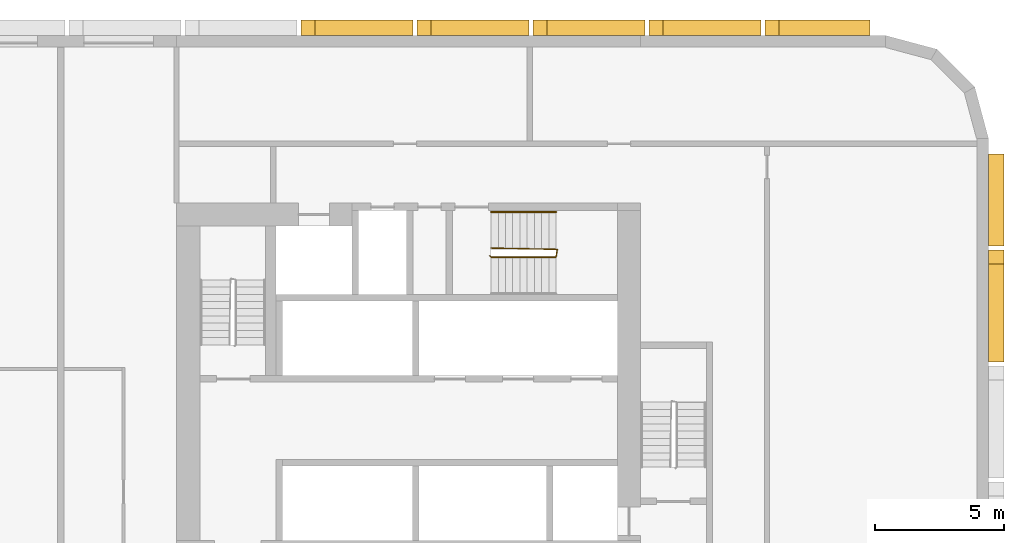
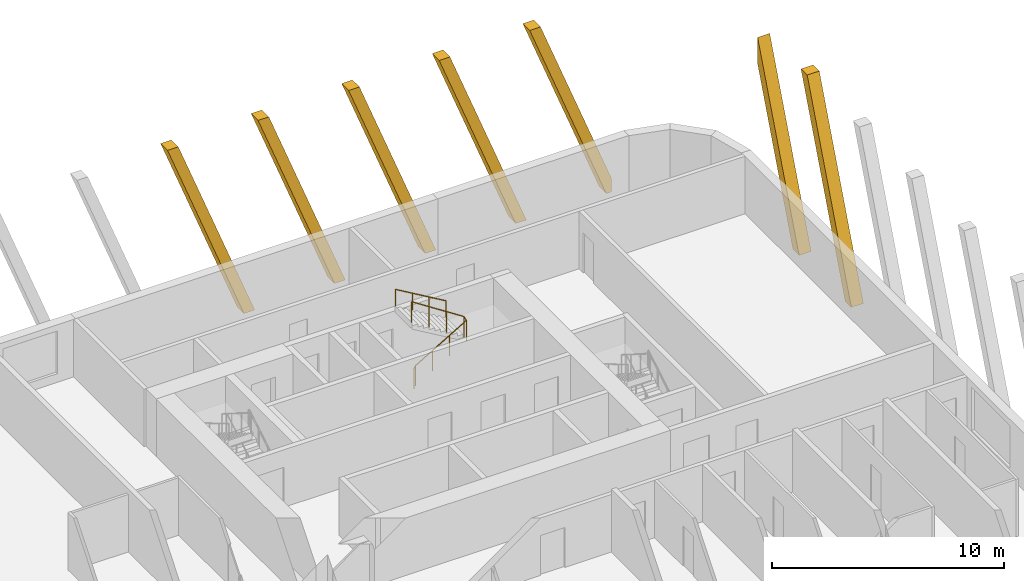
# One storey, part 13 of 13: 7 coverings, 2 railings.
"""IFC4 building model written with IfcOpenShell, lengths in metres."""

from ifc_helpers import new_model, si_unit, direction, frame, origin, origin_2d, place, context, subcontext, project, spatial, polyline, rectangle, circle, outline, extrude, material, material_profile, profile_set, type_object, element, save


model = new_model("IFC4")

# Units and contexts
model_context = context("Model", 3, precision=1e-05, world=origin(), true_north=direction((0.0, 1.0)))
body_context = subcontext(model_context, "Body", "Model", "MODEL_VIEW")
ifc_project = project(units=[si_unit("LENGTHUNIT", "METRE"), si_unit("AREAUNIT", "SQUARE_METRE"), si_unit("VOLUMEUNIT", "CUBIC_METRE"), si_unit("PLANEANGLEUNIT", "RADIAN"), si_unit("MASSUNIT", "GRAM", prefix="KILO")], contexts=[model_context])

# Site, building, storey
site_placement = place(None, origin())
site = spatial("IfcSite", under=ifc_project, at=site_placement, CompositionType="ELEMENT")
building_placement = place(site_placement, origin())
building = spatial("IfcBuilding", under=site, at=building_placement, Name="Kajstack Hotel Tower", CompositionType="ELEMENT")
storey_placement = place(building_placement, frame((0.0, 0.0, 79.800048828125)))
storey = spatial("IfcBuildingStorey", under=building, at=storey_placement, Name="L15", CompositionType="ELEMENT", Elevation=79.800048828125)

# Coverings
ifc_material_1 = material(Name="Terracotta", Category="masonry")
ifc_material_profile = material_profile(ifc_material_1, rectangle(XDim=0.60009765625, YDim=0.5, at=origin_2d()), Name="Terracotta-clad concrete baguette 500 x 600")
ifc_profile_set = profile_set([ifc_material_profile], Name="Terracotta")
covering_type = type_object("IfcCoveringType", Name="BAGUETTE 500x600", PredefinedType="CLADDING", material=ifc_profile_set)
covering_1_placement = place(storey_placement, frame((45.0, 9.332275390625, 0.0), z_axis=(1.0, 0.0, 0.0), x_axis=(0.0, 1.0, 0.0)))
element("IfcCovering", 1, at=covering_1_placement, inside=storey, type_object=covering_type, Name="Baguette L15-07-026", PredefinedType="CLADDING", context=body_context, shape_type="SweptSolid", body=[
    extrude(outline(polyline([(3.80029296875, 9.89990234375), (0.0, 0.0), (0.53564453125, 0.0), (4.3359375, 9.89990234375), (3.80029296875, 9.89990234375)])), origin(), (0.0, 0.0, 1.0), 0.60009765625),
])
covering_2_placement = place(storey_placement, frame((45.0, 13.832275390625, 0.0), z_axis=(1.0, 0.0, 0.0), x_axis=(0.0, 1.0, 0.0)))
element("IfcCovering", 2, at=covering_2_placement, inside=storey, type_object=covering_type, Name="Baguette L15-07-030", PredefinedType="CLADDING", context=body_context, shape_type="SweptSolid", body=[
    extrude(outline(polyline([(0.53564453125, 0.0), (3.56787109375, 7.899169921875), (3.56787109375, 9.29443359375), (0.0, 0.0), (0.53564453125, 0.0)])), origin(), (0.0, 0.0, 1.0), 0.60009765625),
])
covering_3_placement = place(storey_placement, frame((40.39990234375, 22.0, 0.0), z_axis=(0.0, 1.0, 0.0), x_axis=(-1.0, 0.0, 0.0)))
element("IfcCovering", 3, at=covering_3_placement, inside=storey, type_object=covering_type, Name="Baguette L15-11-002", PredefinedType="CLADDING", context=body_context, shape_type="SweptSolid", body=[
    extrude(outline(polyline([(3.532470703125, 9.89990234375), (0.0, 0.697509765625), (0.0, 0.0), (0.267822265625, 0.0), (4.068115234375, 9.89990234375), (3.532470703125, 9.89990234375)])), origin(), (0.0, 0.0, 1.0), 0.60009765625),
])
for number, where, z_axis, x_axis, name in (
    (4, (36.167724609375, 22.0, 0.0), (0.0, 1.0, 0.0), (-1.0, 0.0, 0.0), "Baguette L15-11-006"),
    (5, (31.667724609375, 22.0, 0.0), (0.0, 1.0, 0.0), (-1.0, 0.0, 0.0), "Baguette L15-11-010"),
    (6, (27.167724609375, 22.0, 0.0), (0.0, 1.0, 0.0), (-1.0, 0.0, 0.0), "Baguette L15-11-014"),
    (7, (22.667724609375, 22.0, 0.0), (0.0, 1.0, 0.0), (-1.0, 0.0, 0.0), "Baguette L15-11-018"),
):
    element("IfcCovering", number, at=place(storey_placement, frame(where, z_axis=z_axis, x_axis=x_axis)), inside=storey, type_object=covering_type, Name=name, PredefinedType="CLADDING", context=body_context, shape_type="SweptSolid", body=[
        extrude(outline(polyline([(3.80029296875, 9.89990234375), (0.0, 0.0), (0.53564453125, 0.0), (4.3359375, 9.89990234375), (3.80029296875, 9.89990234375)])), origin(), (0.0, 0.0, 1.0), 0.60009765625),
    ])

# Railings
ifc_material_2 = material(Name="Steel S355J2", Category="steel")
railing_type_1 = type_object("IfcRailingType", Name="Stair guard 1100", PredefinedType="GUARDRAIL", material=ifc_material_2)
railing_1_placement = place(storey_placement, frame((25.64990234375, 13.449951171875, 0.0)))
element("IfcRailing", 8, at=railing_1_placement, inside=storey, type_object=railing_type_1, Name="L15 E3 stair guard 1", PredefinedType="GUARDRAIL", context=body_context, shape_type="SweptSolid", body=[
    extrude(circle(Radius=0.02392578125, at=origin_2d()), frame((0.0, 0.0, 1.076171875), z_axis=(0.278705021027, -0.278705021027, 0.919046801044), x_axis=(0.707106781187, 0.707106781187, 0.0)), (0.0, 0.0, 1.0), 0.1796875),
    extrude(circle(Radius=0.02392578125, at=origin_2d()), frame((0.050048828125, -0.050048828125, 1.2412109375), z_axis=(0.861560626758, 0.0, 0.507654692109), x_axis=(0.0, 1.0, 0.0)), (0.0, 0.0, 1.0), 2.925048828125),
    extrude(circle(Radius=0.02392578125, at=origin_2d()), frame((2.570068359375, -0.050048828125, 2.72607421875), z_axis=(0.164529134168, 0.986372223864, 0.0), x_axis=(-0.986372223864, 0.164529134168, 0.0)), (0.0, 0.0, 1.0), 0.30419921875),
    extrude(circle(Radius=0.02392578125, at=origin_2d()), frame((2.6201171875, 0.25, 2.72607421875), z_axis=(-0.84136925563, 0.016384601254, 0.540212292087), x_axis=(-0.019470042781, -0.999810440751, 0.0)), (0.0, 0.0, 1.0), 3.0546875),
    extrude(circle(Radius=0.02099609375, at=origin_2d()), origin(), (0.0, 0.0, 1.0), 1.052001953125),
    extrude(circle(Radius=0.02099609375, at=origin_2d()), frame((0.050048828125, -0.050048828125, 0.1650390625)), (0.0, 0.0, 1.0), 1.052001953125),
    extrude(circle(Radius=0.02099609375, at=origin_2d()), frame((0.89013671875, -0.050048828125, 0.659912109375)), (0.0, 0.0, 1.0), 1.052001953125),
    extrude(circle(Radius=0.02099609375, at=origin_2d()), frame((1.72998046875, -0.050048828125, 1.155029296875)), (0.0, 0.0, 1.0), 1.052001953125),
    extrude(circle(Radius=0.02099609375, at=origin_2d()), frame((2.570068359375, -0.050048828125, 1.64990234375)), (0.0, 0.0, 1.0), 1.052001953125),
    extrude(circle(Radius=0.02099609375, at=origin_2d()), frame((2.6201171875, 0.25, 1.64990234375)), (0.0, 0.0, 1.0), 1.052001953125),
    extrude(circle(Radius=0.02099609375, at=origin_2d()), frame((1.763427734375, 0.2666015625, 2.199951171875)), (0.0, 0.0, 1.0), 1.052001953125),
    extrude(circle(Radius=0.02099609375, at=origin_2d()), frame((0.90673828125, 0.283447265625, 2.75)), (0.0, 0.0, 1.0), 1.052001953125),
    extrude(circle(Radius=0.02099609375, at=origin_2d()), frame((0.050048828125, 0.300048828125, 3.300048828125)), (0.0, 0.0, 1.0), 1.052001953125),
])
railing_type_2 = type_object("IfcRailingType", Name="Stair handrail 900", PredefinedType="HANDRAIL", material=ifc_material_2)
railing_2_placement = place(storey_placement, frame((28.219970703125, 15.14990234375, 1.81494140625)))
element("IfcRailing", 9, at=railing_2_placement, inside=storey, type_object=railing_type_2, Name="L15 E3 stair handrail 2", PredefinedType="HANDRAIL", context=body_context, shape_type="SweptSolid", body=[
    extrude(circle(Radius=0.02392578125, at=origin_2d()), frame((0.0, 0.0, 0.8759765625), z_axis=(-0.86152411907, 0.0, 0.507716645641), x_axis=(0.0, -1.0, 0.0)), (0.0, 0.0, 1.0), 2.925048828125),
    extrude(circle(Radius=0.02099609375, at=origin_2d()), origin(), (0.0, 0.0, 1.0), 0.851806640625),
    extrude(circle(Radius=0.02099609375, at=origin_2d()), frame((-0.840087890625, 0.0, 0.4951171875)), (0.0, 0.0, 1.0), 0.851806640625),
    extrude(circle(Radius=0.02099609375, at=origin_2d()), frame((-1.679931640625, 0.0, 0.989990234375)), (0.0, 0.0, 1.0), 0.851806640625),
    extrude(circle(Radius=0.02099609375, at=origin_2d()), frame((-2.52001953125, 0.0, 1.485107421875)), (0.0, 0.0, 1.0), 0.851806640625),
])

save(model, "model.ifc")
